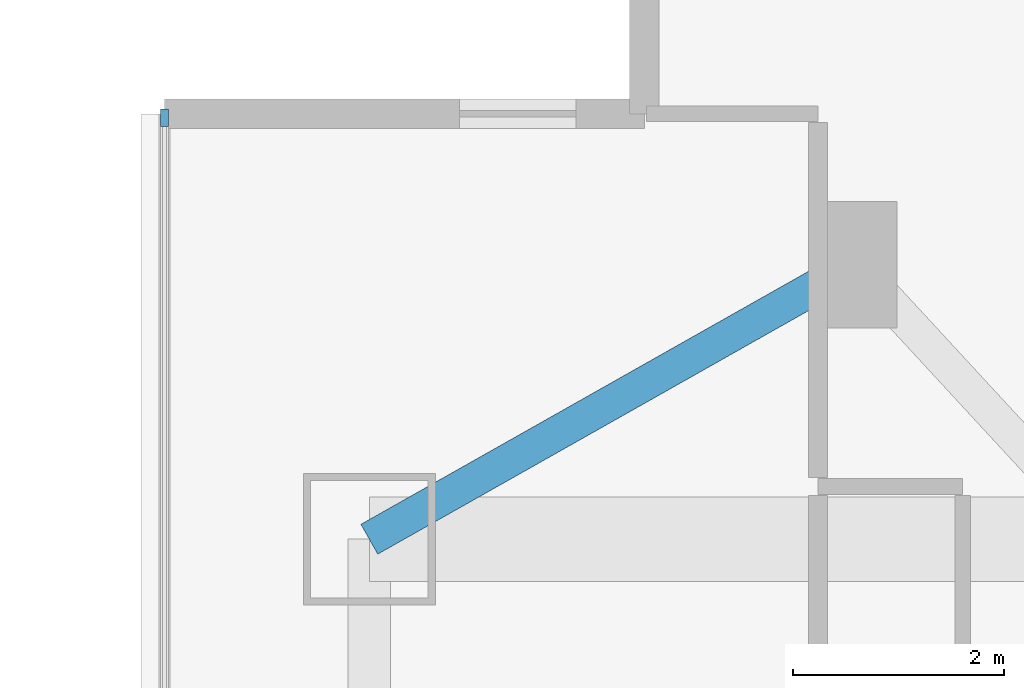
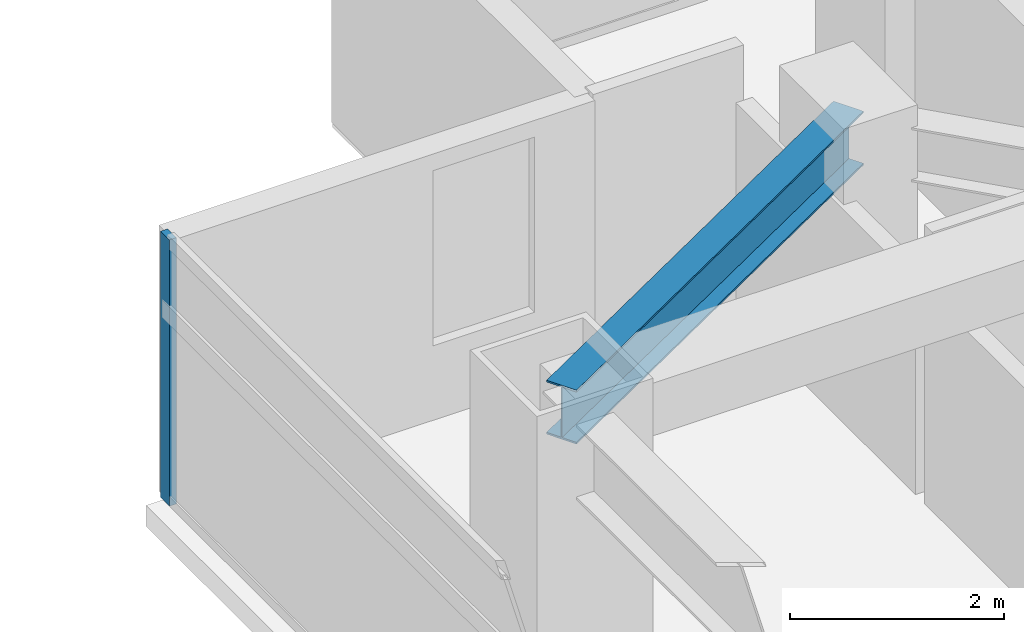
# One storey, part 7 of 27: 1 beam, 1 member, 1 element without a shape of its own.
"""IFC4 building model written with IfcOpenShell, lengths in metres."""

from ifc_helpers import new_model, si_unit, direction, frame, origin, origin_2d, place, context, subcontext, project, spatial, rectangle, i_section, extrude, material, material_profile, profile_set, type_object, element, aggregate, save


model = new_model("IFC4")

# Units and contexts
model_context = context("Model", 3, precision=1e-05, world=origin(), true_north=direction((0.0, 1.0)))
body_context = subcontext(model_context, "Body", "Model", "MODEL_VIEW")
ifc_project = project(units=[si_unit("LENGTHUNIT", "METRE"), si_unit("AREAUNIT", "SQUARE_METRE"), si_unit("VOLUMEUNIT", "CUBIC_METRE"), si_unit("PLANEANGLEUNIT", "RADIAN"), si_unit("MASSUNIT", "GRAM", prefix="KILO")], contexts=[model_context])

# Site, building, storey
site_placement = place(None, origin())
site = spatial("IfcSite", under=ifc_project, at=site_placement, CompositionType="ELEMENT")
building_placement = place(site_placement, origin())
building = spatial("IfcBuilding", under=site, at=building_placement, Name="Mirazonda Arch Towers", CompositionType="ELEMENT")
storey_placement = place(building_placement, frame((0.0, 0.0, 52.10009765625)))
storey = spatial("IfcBuildingStorey", under=building, at=storey_placement, Name="L14", CompositionType="ELEMENT", Elevation=52.10009765625)

# Beam
ifc_material_1 = material(Name="Steel ASTM A992 Grade 50", Category="steel")
ifc_material_profile_1 = material_profile(ifc_material_1, i_section(OverallWidth=0.324951171875, OverallDepth=0.615966796875, WebThickness=0.013916015625, FlangeThickness=0.021484375, at=origin_2d()), Name="W24X117")
ifc_profile_set_1 = profile_set([ifc_material_profile_1], Name="Steel ASTM A992 Grade 50")
beam_type = type_object("IfcBeamType", Name="BM-INT-W24X117", PredefinedType="BEAM", material=ifc_profile_set_1)
beam_placement = place(storey_placement, frame((65.60009765625, 37.800048828125, 2.751953125), z_axis=(-0.870559396632, -0.492063346467, 0.0), x_axis=(0.492063346467, -0.870559396632, 0.0)))
element("IfcBeam", 1, at=beam_placement, inside=storey, type_object=beam_type, Name="L14 Floor Beam BM-T2-L14-PL-NW2", PredefinedType="BEAM", context=body_context, shape_type="SweptSolid", body=[
    extrude(i_section(OverallWidth=0.324951171875, OverallDepth=0.615966796875, WebThickness=0.013916015625, FlangeThickness=0.021484375, at=origin_2d()), origin(), (0.0, 0.0, 1.0), 5.2841796875),
])

# Curtain wall, member
ifc_material_2 = material(Name="Anodised Aluminium and Low-E Glass", Category="aluminium")
curtain_wall_type = type_object("IfcCurtainWallType", Name="CW-HTL-UNIT", PredefinedType="NOTDEFINED", material=ifc_material_2)
curtain_wall_placement = place(storey_placement, origin())
curtain_wall = element("IfcCurtainWall", 2, at=curtain_wall_placement, inside=storey, type_object=curtain_wall_type, Name="L14 T2 W Facade CW-L14-T2-W", PredefinedType="NOTDEFINED")
ifc_material_3 = material(Name="Anodised Aluminium Alloy", Category="aluminium")
ifc_material_profile_2 = material_profile(ifc_material_3, rectangle(XDim=0.074951171875, YDim=0.1650390625, at=origin_2d()), Name="ALU-MULL-75x165")
ifc_profile_set_2 = profile_set([ifc_material_profile_2], Name="Anodised Aluminium Alloy")
member_type = type_object("IfcMemberType", Name="MULL-CW-HTL-UNIT", PredefinedType="MULLION", material=ifc_profile_set_2)
member_placement = place(storey_placement, frame((59.06005859375, 39.1923828125, 0.0), z_axis=(0.0, 0.0, 1.0), x_axis=(1.0, 0.0, 0.0)))
member = element("IfcMember", 3, at=member_placement, type_object=member_type, Name="CW-112 mullion 1", PredefinedType="MULLION", context=body_context, shape_type="SweptSolid", body=[
    extrude(rectangle(XDim=0.074951171875, YDim=0.1650390625, at=origin_2d()), origin(), (0.0, 0.0, 1.0), 3.039794921875),
])
aggregate(curtain_wall, [member])

save(model, "model.ifc")
